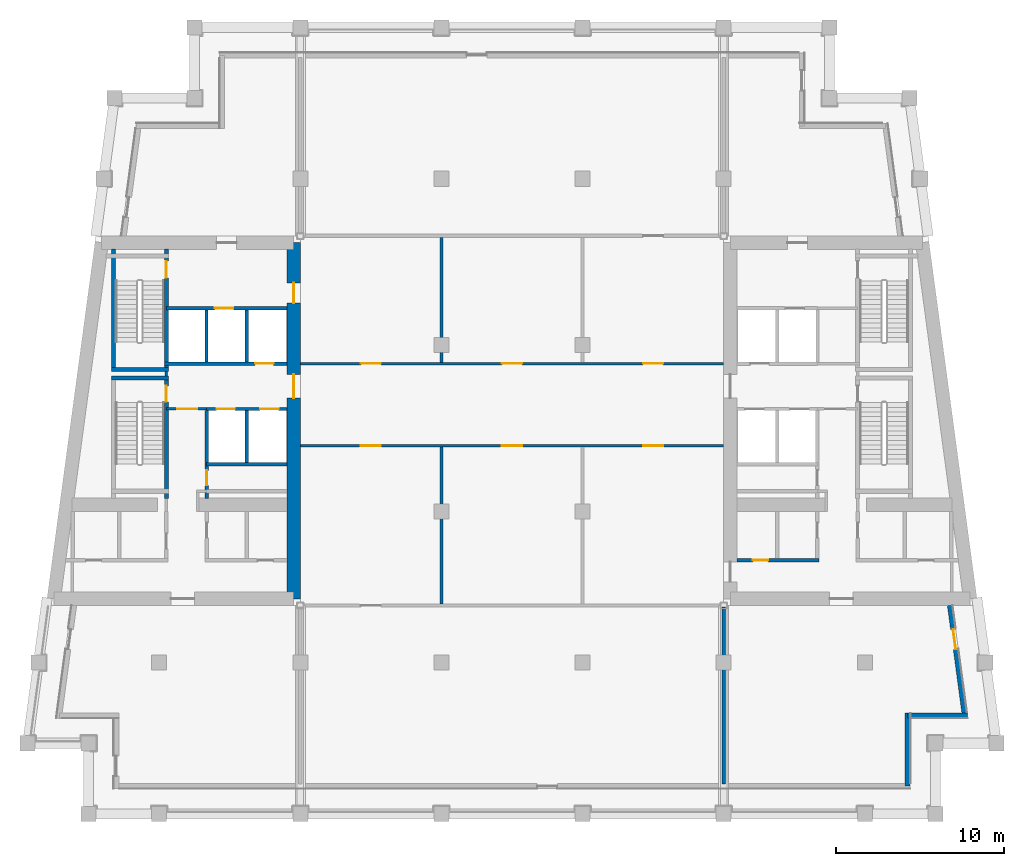
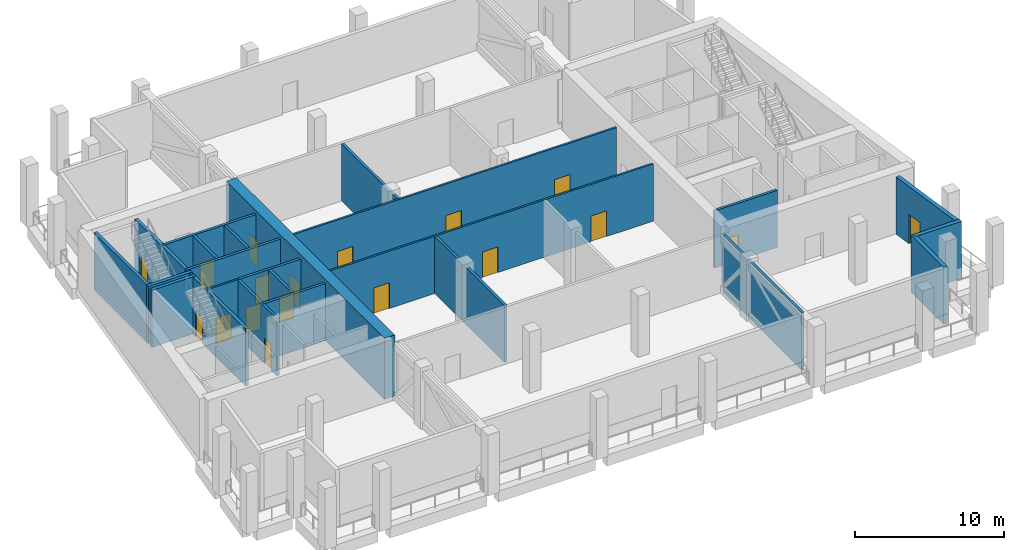
# One storey, part 5 of 11: 25 walls, 18 doors, 18 openings.
"""IFC4 building model written with IfcOpenShell, lengths in metres."""

from ifc_helpers import new_model, si_unit, direction, frame, frame_2d, origin, place, context, subcontext, project, spatial, rectangle, extrude, material, layer, layer_set, type_object, element, fill, save


model = new_model("IFC4")

# Units and contexts
model_context = context("Model", 3, precision=1e-05, world=origin(), true_north=direction((0.0, 1.0)))
body_context = subcontext(model_context, "Body", "Model", "MODEL_VIEW")
ifc_project = project(units=[si_unit("LENGTHUNIT", "METRE"), si_unit("AREAUNIT", "SQUARE_METRE"), si_unit("VOLUMEUNIT", "CUBIC_METRE"), si_unit("PLANEANGLEUNIT", "RADIAN"), si_unit("MASSUNIT", "GRAM", prefix="KILO")], contexts=[model_context])

# Site, building, storey
site_placement = place(None, origin())
site = spatial("IfcSite", under=ifc_project, at=site_placement, CompositionType="ELEMENT")
building_placement = place(site_placement, origin())
building = spatial("IfcBuilding", under=site, at=building_placement, Name="Candeia Pilgrim Tower and Theatre", CompositionType="ELEMENT")
storey_placement = place(building_placement, frame((0.0, 0.0, 254.0)))
storey = spatial("IfcBuildingStorey", under=building, at=storey_placement, Name="L61", CompositionType="ELEMENT", Elevation=254.0)

# Wall, openings, doors
ifc_material_1 = material(Name="Concrete C50/60", Category="concrete")
ifc_layer_1 = layer(ifc_material_1, 0.800048828125)
ifc_layer_set_1 = layer_set([ifc_layer_1], Name="Core wall 800 C50/60")
wall_type_1 = type_object("IfcWallType", Name="Core wall 800 C50/60", PredefinedType="SHEAR", material=ifc_layer_set_1)
wall_1_placement = place(storey_placement, frame((100.39990234375, 132.0, 0.0), z_axis=(0.0, 0.0, 1.0), x_axis=(0.0, -1.0, 0.0)))
wall_1 = element("IfcWall", 1, at=wall_1_placement, inside=storey, type_object=wall_type_1, Name="Core wall W2", PredefinedType="SHEAR", context=body_context, shape_type="SweptSolid", body=[
    extrude(rectangle(XDim=21.199951171875, YDim=0.800048828125, at=frame_2d((10.60009765625, 0.0))), origin(), (0.0, 0.0, 1.0), 5.0),
])
opening_1_placement = place(wall_1_placement, frame((2.39990234375, 0.0, 0.0)))
opening_1 = element("IfcOpeningElement", 2, at=opening_1_placement, cuts=wall_1, Name="Opening L61-D029", PredefinedType="OPENING", context=body_context, shape_type="SweptSolid", body=[
    extrude(rectangle(XDim=1.199951171875, YDim=2.10009765625, at=frame_2d((0.60009765625, 1.050048828125))), frame((0.0, 0.41015625, 0.0), z_axis=(0.0, -1.0, 0.0), x_axis=(1.0, 0.0, 0.0)), (0.0, 0.0, 1.0), 0.820068359375),
])
opening_2_placement = place(wall_1_placement, frame((7.85009765625, 0.0, 0.0)))
opening_2 = element("IfcOpeningElement", 3, at=opening_2_placement, cuts=wall_1, Name="Opening L61-D031", PredefinedType="OPENING", context=body_context, shape_type="SweptSolid", body=[
    extrude(rectangle(XDim=1.39990234375, YDim=2.10009765625, at=frame_2d((0.699951171875, 1.050048828125))), frame((0.0, 0.41015625, 0.0), z_axis=(0.0, -1.0, 0.0), x_axis=(1.0, 0.0, 0.0)), (0.0, 0.0, 1.0), 0.820068359375),
])
ifc_material_2 = material(Name="Steel fire door set", Category="steel")
door_type_1 = type_object("IfcDoorType", Name="D-1200-FD60", OperationType="NOTDEFINED", PredefinedType="DOOR", material=ifc_material_2)
door_1_placement = place(opening_1_placement, origin())
door_1 = element("IfcDoor", 4, at=door_1_placement, inside=storey, type_object=door_type_1, Name="Door L61-D029", OperationType="SINGLE_SWING_RIGHT", OverallHeight=2.10009765625, OverallWidth=1.199951171875, PredefinedType="DOOR", context=body_context, shape_type="SweptSolid", body=[
    extrude(rectangle(XDim=1.199951171875, YDim=2.10009765625, at=frame_2d((0.60009765625, 1.050048828125))), frame((0.0, 0.02490234375, 0.0), z_axis=(0.0, -1.0, 0.0), x_axis=(1.0, 0.0, 0.0)), (0.0, 0.0, 1.0), 0.050048828125),
])
fill(opening_1, door_1)
door_type_2 = type_object("IfcDoorType", Name="D-1400-FD60", OperationType="NOTDEFINED", PredefinedType="DOOR", material=ifc_material_2)
door_2_placement = place(opening_2_placement, origin())
door_2 = element("IfcDoor", 5, at=door_2_placement, inside=storey, type_object=door_type_2, Name="Door L61-D031", OperationType="SINGLE_SWING_RIGHT", OverallHeight=2.10009765625, OverallWidth=1.39990234375, PredefinedType="DOOR", context=body_context, shape_type="SweptSolid", body=[
    extrude(rectangle(XDim=1.39990234375, YDim=2.10009765625, at=frame_2d((0.699951171875, 1.050048828125))), frame((0.0, 0.02490234375, 0.0), z_axis=(0.0, -1.0, 0.0), x_axis=(1.0, 0.0, 0.0)), (0.0, 0.0, 1.0), 0.050048828125),
])
fill(opening_2, door_2)

# Walls
ifc_material_3 = material(Name="Ceramic block masonry", Category="masonry")
ifc_layer_2 = layer(ifc_material_3, 0.300048828125)
ifc_layer_set_2 = layer_set([ifc_layer_2], Name="EW1 glazing-line wall 300")
wall_type_2 = type_object("IfcWallType", Name="EW1 glazing-line wall 300", PredefinedType="SOLIDWALL", material=ifc_layer_set_2)
wall_2_placement = place(storey_placement, frame((136.949951171875, 99.64990234375, 0.0), z_axis=(0.0, 0.0, 1.0), x_axis=(0.0, 1.0, 0.0)))
element("IfcWall", 6, at=wall_2_placement, inside=storey, type_object=wall_type_2, Name="External wall L61-1.0", PredefinedType="SOLIDWALL", context=body_context, shape_type="SweptSolid", body=[
    extrude(rectangle(XDim=4.35009765625, YDim=0.300048828125, at=frame_2d((2.175048828125, 0.0))), origin(), (0.0, 0.0, 1.0), 4.679931640625),
])
wall_3_placement = place(storey_placement, frame((136.949951171875, 103.85009765625, 0.0), z_axis=(0.0, 0.0, 1.0), x_axis=(1.0, 0.0, 0.0)))
element("IfcWall", 7, at=wall_3_placement, inside=storey, type_object=wall_type_2, Name="External wall L61-2.0", PredefinedType="SOLIDWALL", context=body_context, shape_type="SweptSolid", body=[
    extrude(rectangle(XDim=3.569091796875, YDim=0.300048828125, at=frame_2d((1.78466796875, 0.0))), origin(), (0.0, 0.0, 1.0), 4.679931640625),
])

# Wall, opening, door
wall_4_placement = place(storey_placement, frame((140.34765625, 103.85009765625, 0.0), z_axis=(0.0, 0.0, 1.0), x_axis=(-0.133431549479, 0.991058031401, 0.0)))
wall_4 = element("IfcWall", 8, at=wall_4_placement, inside=storey, type_object=wall_type_2, Name="External wall L61-3.0", PredefinedType="SOLIDWALL", context=body_context, shape_type="SweptSolid", body=[
    extrude(rectangle(XDim=6.60888671875, YDim=0.300048828125, at=frame_2d((3.304443359375, 0.0))), origin(), (0.0, 0.0, 1.0), 4.679931640625),
])
opening_3_placement = place(wall_4_placement, frame((3.990966796875, 0.0, 0.0)))
opening_3 = element("IfcOpeningElement", 9, at=opening_3_placement, cuts=wall_4, Name="Opening L61-ED578", PredefinedType="OPENING", context=body_context, shape_type="SweptSolid", body=[
    extrude(rectangle(XDim=1.199951171875, YDim=2.39990234375, at=frame_2d((0.60009765625, 1.199951171875))), frame((0.0, 0.16015625, 0.0), z_axis=(0.0, -1.0, 0.0), x_axis=(1.0, 0.0, 0.0)), (0.0, 0.0, 1.0), 0.320068359375),
])
ifc_material_4 = material(Name="Aluminium framed glazed door", Category="aluminium")
door_type_3 = type_object("IfcDoorType", Name="Loggia door 1200x2400", OperationType="DOUBLE_DOOR_SINGLE_SWING", PredefinedType="DOOR", material=ifc_material_4)
door_3_placement = place(opening_3_placement, origin())
door_3 = element("IfcDoor", 10, at=door_3_placement, inside=storey, type_object=door_type_3, Name="Loggia door L61-ED578", OperationType="DOUBLE_DOOR_SINGLE_SWING", OverallHeight=2.39990234375, OverallWidth=1.199951171875, PredefinedType="DOOR", context=body_context, shape_type="SweptSolid", body=[
    extrude(rectangle(XDim=1.199951171875, YDim=2.39990234375, at=frame_2d((0.60009765625, 1.199951171875))), frame((0.0, 0.02490234375, 0.0), z_axis=(0.0, -1.0, 0.0), x_axis=(1.0, 0.0, 0.0)), (0.0, 0.0, 1.0), 0.050048828125),
])
fill(opening_3, door_3)

ifc_material_5 = material(Name="Gypsum board partition on steel studs", Category="steel")
ifc_layer_3 = layer(ifc_material_5, 0.14990234375)
ifc_layer_set_3 = layer_set([ifc_layer_3], Name="PW-150 lobby wall")
wall_type_3 = type_object("IfcWallType", Name="PW-150 lobby wall", PredefinedType="PARTITIONING", material=ifc_layer_set_3)
wall_5_placement = place(storey_placement, frame((92.826904296875, 122.10009765625, 0.0), z_axis=(0.0, 0.0, 1.0), x_axis=(1.0, 0.0, 0.0)))
wall_5 = element("IfcWall", 11, at=wall_5_placement, inside=storey, type_object=wall_type_3, Name="Lobby wall L61-017", PredefinedType="PARTITIONING", context=body_context, shape_type="SweptSolid", body=[
    extrude(rectangle(XDim=2.400146484375, YDim=0.14990234375, at=frame_2d((1.2001953125, 0.0))), origin(), (0.0, 0.0, 1.0), 4.679931640625),
])
opening_4_placement = place(wall_5_placement, frame((0.64990234375, 0.0, 0.0)))
opening_4 = element("IfcOpeningElement", 12, at=opening_4_placement, cuts=wall_5, Name="Opening L61-D009", PredefinedType="OPENING", context=body_context, shape_type="SweptSolid", body=[
    extrude(rectangle(XDim=1.199951171875, YDim=2.10009765625, at=frame_2d((0.60009765625, 1.050048828125))), frame((0.0, 0.0849609375, 0.0), z_axis=(0.0, -1.0, 0.0), x_axis=(1.0, 0.0, 0.0)), (0.0, 0.0, 1.0), 0.169921875),
])
door_4_placement = place(opening_4_placement, origin())
door_4 = element("IfcDoor", 13, at=door_4_placement, inside=storey, type_object=door_type_1, Name="Door L61-D009", OperationType="SINGLE_SWING_RIGHT", OverallHeight=2.10009765625, OverallWidth=1.199951171875, PredefinedType="DOOR", context=body_context, shape_type="SweptSolid", body=[
    extrude(rectangle(XDim=1.199951171875, YDim=2.10009765625, at=frame_2d((0.60009765625, 1.050048828125))), frame((0.0, 0.02490234375, 0.0), z_axis=(0.0, -1.0, 0.0), x_axis=(1.0, 0.0, 0.0)), (0.0, 0.0, 1.0), 0.050048828125),
])
fill(opening_4, door_4)

# Wall
wall_6_placement = place(storey_placement, frame((92.826904296875, 124.074951171875, 0.0), z_axis=(0.0, 0.0, 1.0), x_axis=(0.0, 1.0, 0.0)))
element("IfcWall", 14, at=wall_6_placement, inside=storey, type_object=wall_type_3, Name="Lobby wall L61-040", PredefinedType="PARTITIONING", context=body_context, shape_type="SweptSolid", body=[
    extrude(rectangle(XDim=0.25, YDim=0.14990234375, at=frame_2d((0.125, 0.0))), origin(), (0.0, 0.0, 1.0), 4.679931640625),
])

# Wall, openings, doors
ifc_layer_4 = layer(ifc_material_5, 0.14990234375)
ifc_layer_set_4 = layer_set([ifc_layer_4], Name="PW-150 unit wall")
wall_type_4 = type_object("IfcWallType", Name="PW-150 unit wall", PredefinedType="PARTITIONING", material=ifc_layer_set_4)
wall_7_placement = place(storey_placement, frame((100.800048828125, 119.89990234375, 0.0), z_axis=(0.0, 0.0, 1.0), x_axis=(1.0, 0.0, 0.0)))
wall_7 = element("IfcWall", 15, at=wall_7_placement, inside=storey, type_object=wall_type_4, Name="Unit wall L61-014", PredefinedType="PARTITIONING", context=body_context, shape_type="SweptSolid", body=[
    extrude(rectangle(XDim=25.199951171875, YDim=0.14990234375, at=frame_2d((12.60009765625, 0.0))), origin(), (0.0, 0.0, 1.0), 4.679931640625),
])
opening_5_placement = place(wall_7_placement, frame((3.60009765625, 0.0, 0.0)))
opening_5 = element("IfcOpeningElement", 16, at=opening_5_placement, cuts=wall_7, Name="Opening L61-D001", PredefinedType="OPENING", context=body_context, shape_type="SweptSolid", body=[
    extrude(rectangle(XDim=1.199951171875, YDim=2.10009765625, at=frame_2d((0.60009765625, 1.050048828125))), frame((0.0, 0.0849609375, 0.0), z_axis=(0.0, -1.0, 0.0), x_axis=(1.0, 0.0, 0.0)), (0.0, 0.0, 1.0), 0.169921875),
])
opening_6_placement = place(wall_7_placement, frame((12.0, 0.0, 0.0)))
opening_6 = element("IfcOpeningElement", 17, at=opening_6_placement, cuts=wall_7, Name="Opening L61-D003", PredefinedType="OPENING", context=body_context, shape_type="SweptSolid", body=[
    extrude(rectangle(XDim=1.199951171875, YDim=2.10009765625, at=frame_2d((0.60009765625, 1.050048828125))), frame((0.0, 0.0849609375, 0.0), z_axis=(0.0, -1.0, 0.0), x_axis=(1.0, 0.0, 0.0)), (0.0, 0.0, 1.0), 0.169921875),
])
opening_7_placement = place(wall_7_placement, frame((20.39990234375, 0.0, 0.0)))
opening_7 = element("IfcOpeningElement", 18, at=opening_7_placement, cuts=wall_7, Name="Opening L61-D005", PredefinedType="OPENING", context=body_context, shape_type="SweptSolid", body=[
    extrude(rectangle(XDim=1.199951171875, YDim=2.10009765625, at=frame_2d((0.60009765625, 1.050048828125))), frame((0.0, 0.0849609375, 0.0), z_axis=(0.0, -1.0, 0.0), x_axis=(1.0, 0.0, 0.0)), (0.0, 0.0, 1.0), 0.169921875),
])
door_5_placement = place(opening_5_placement, origin())
door_5 = element("IfcDoor", 19, at=door_5_placement, inside=storey, type_object=door_type_1, Name="Door L61-D001", OperationType="SINGLE_SWING_RIGHT", OverallHeight=2.10009765625, OverallWidth=1.199951171875, PredefinedType="DOOR", context=body_context, shape_type="SweptSolid", body=[
    extrude(rectangle(XDim=1.199951171875, YDim=2.10009765625, at=frame_2d((0.60009765625, 1.050048828125))), frame((0.0, 0.02490234375, 0.0), z_axis=(0.0, -1.0, 0.0), x_axis=(1.0, 0.0, 0.0)), (0.0, 0.0, 1.0), 0.050048828125),
])
fill(opening_5, door_5)
door_6_placement = place(opening_6_placement, origin())
door_6 = element("IfcDoor", 20, at=door_6_placement, inside=storey, type_object=door_type_1, Name="Door L61-D003", OperationType="SINGLE_SWING_RIGHT", OverallHeight=2.10009765625, OverallWidth=1.199951171875, PredefinedType="DOOR", context=body_context, shape_type="SweptSolid", body=[
    extrude(rectangle(XDim=1.199951171875, YDim=2.10009765625, at=frame_2d((0.60009765625, 1.050048828125))), frame((0.0, 0.02490234375, 0.0), z_axis=(0.0, -1.0, 0.0), x_axis=(1.0, 0.0, 0.0)), (0.0, 0.0, 1.0), 0.050048828125),
])
fill(opening_6, door_6)
door_7_placement = place(opening_7_placement, origin())
door_7 = element("IfcDoor", 21, at=door_7_placement, inside=storey, type_object=door_type_1, Name="Door L61-D005", OperationType="SINGLE_SWING_RIGHT", OverallHeight=2.10009765625, OverallWidth=1.199951171875, PredefinedType="DOOR", context=body_context, shape_type="SweptSolid", body=[
    extrude(rectangle(XDim=1.199951171875, YDim=2.10009765625, at=frame_2d((0.60009765625, 1.050048828125))), frame((0.0, 0.02490234375, 0.0), z_axis=(0.0, -1.0, 0.0), x_axis=(1.0, 0.0, 0.0)), (0.0, 0.0, 1.0), 0.050048828125),
])
fill(opening_7, door_7)

wall_8_placement = place(storey_placement, frame((100.800048828125, 124.800048828125, 0.0), z_axis=(0.0, 0.0, 1.0), x_axis=(1.0, 0.0, 0.0)))
wall_8 = element("IfcWall", 22, at=wall_8_placement, inside=storey, type_object=wall_type_4, Name="Unit wall L61-026", PredefinedType="PARTITIONING", context=body_context, shape_type="SweptSolid", body=[
    extrude(rectangle(XDim=25.199951171875, YDim=0.14990234375, at=frame_2d((12.60009765625, 0.0))), origin(), (0.0, 0.0, 1.0), 4.679931640625),
])
opening_8_placement = place(wall_8_placement, frame((3.60009765625, 0.0, 0.0)))
opening_8 = element("IfcOpeningElement", 23, at=opening_8_placement, cuts=wall_8, Name="Opening L61-D002", PredefinedType="OPENING", context=body_context, shape_type="SweptSolid", body=[
    extrude(rectangle(XDim=1.199951171875, YDim=2.10009765625, at=frame_2d((0.60009765625, 1.050048828125))), frame((0.0, 0.0849609375, 0.0), z_axis=(0.0, -1.0, 0.0), x_axis=(1.0, 0.0, 0.0)), (0.0, 0.0, 1.0), 0.169921875),
])
opening_9_placement = place(wall_8_placement, frame((12.0, 0.0, 0.0)))
opening_9 = element("IfcOpeningElement", 24, at=opening_9_placement, cuts=wall_8, Name="Opening L61-D004", PredefinedType="OPENING", context=body_context, shape_type="SweptSolid", body=[
    extrude(rectangle(XDim=1.199951171875, YDim=2.10009765625, at=frame_2d((0.60009765625, 1.050048828125))), frame((0.0, 0.0849609375, 0.0), z_axis=(0.0, -1.0, 0.0), x_axis=(1.0, 0.0, 0.0)), (0.0, 0.0, 1.0), 0.169921875),
])
opening_10_placement = place(wall_8_placement, frame((20.39990234375, 0.0, 0.0)))
opening_10 = element("IfcOpeningElement", 25, at=opening_10_placement, cuts=wall_8, Name="Opening L61-D006", PredefinedType="OPENING", context=body_context, shape_type="SweptSolid", body=[
    extrude(rectangle(XDim=1.199951171875, YDim=2.10009765625, at=frame_2d((0.60009765625, 1.050048828125))), frame((0.0, 0.0849609375, 0.0), z_axis=(0.0, -1.0, 0.0), x_axis=(1.0, 0.0, 0.0)), (0.0, 0.0, 1.0), 0.169921875),
])
door_8_placement = place(opening_8_placement, origin())
door_8 = element("IfcDoor", 26, at=door_8_placement, inside=storey, type_object=door_type_1, Name="Door L61-D002", OperationType="SINGLE_SWING_LEFT", OverallHeight=2.10009765625, OverallWidth=1.199951171875, PredefinedType="DOOR", context=body_context, shape_type="SweptSolid", body=[
    extrude(rectangle(XDim=1.199951171875, YDim=2.10009765625, at=frame_2d((0.60009765625, 1.050048828125))), frame((0.0, 0.02490234375, 0.0), z_axis=(0.0, -1.0, 0.0), x_axis=(1.0, 0.0, 0.0)), (0.0, 0.0, 1.0), 0.050048828125),
])
fill(opening_8, door_8)
door_9_placement = place(opening_9_placement, origin())
door_9 = element("IfcDoor", 27, at=door_9_placement, inside=storey, type_object=door_type_1, Name="Door L61-D004", OperationType="SINGLE_SWING_LEFT", OverallHeight=2.10009765625, OverallWidth=1.199951171875, PredefinedType="DOOR", context=body_context, shape_type="SweptSolid", body=[
    extrude(rectangle(XDim=1.199951171875, YDim=2.10009765625, at=frame_2d((0.60009765625, 1.050048828125))), frame((0.0, 0.02490234375, 0.0), z_axis=(0.0, -1.0, 0.0), x_axis=(1.0, 0.0, 0.0)), (0.0, 0.0, 1.0), 0.050048828125),
])
fill(opening_9, door_9)
door_10_placement = place(opening_10_placement, origin())
door_10 = element("IfcDoor", 28, at=door_10_placement, inside=storey, type_object=door_type_1, Name="Door L61-D006", OperationType="SINGLE_SWING_LEFT", OverallHeight=2.10009765625, OverallWidth=1.199951171875, PredefinedType="DOOR", context=body_context, shape_type="SweptSolid", body=[
    extrude(rectangle(XDim=1.199951171875, YDim=2.10009765625, at=frame_2d((0.60009765625, 1.050048828125))), frame((0.0, 0.02490234375, 0.0), z_axis=(0.0, -1.0, 0.0), x_axis=(1.0, 0.0, 0.0)), (0.0, 0.0, 1.0), 0.050048828125),
])
fill(opening_10, door_10)

# Walls
ifc_layer_5 = layer(ifc_material_5, 0.199951171875)
ifc_layer_set_5 = layer_set([ifc_layer_5], Name="PW-200 party wall")
wall_type_5 = type_object("IfcWallType", Name="PW-200 party wall", PredefinedType="PARTITIONING", material=ifc_layer_set_5)
wall_9_placement = place(storey_placement, frame((109.199951171875, 110.5, 0.0), z_axis=(0.0, 0.0, 1.0), x_axis=(0.0, 1.0, 0.0)))
element("IfcWall", 29, at=wall_9_placement, inside=storey, type_object=wall_type_5, Name="Party wall L61-052", PredefinedType="PARTITIONING", context=body_context, shape_type="SweptSolid", body=[
    extrude(rectangle(XDim=9.324951171875, YDim=0.199951171875, at=frame_2d((4.66259765625, 0.0))), origin(), (0.0, 0.0, 1.0), 4.679931640625),
])
wall_10_placement = place(storey_placement, frame((109.199951171875, 124.875, 0.0), z_axis=(0.0, 0.0, 1.0), x_axis=(0.0, 1.0, 0.0)))
element("IfcWall", 30, at=wall_10_placement, inside=storey, type_object=wall_type_5, Name="Party wall L61-053", PredefinedType="PARTITIONING", context=body_context, shape_type="SweptSolid", body=[
    extrude(rectangle(XDim=7.425048828125, YDim=0.199951171875, at=frame_2d((3.71240234375, 0.0))), origin(), (0.0, 0.0, 1.0), 4.679931640625),
])
wall_11_placement = place(storey_placement, frame((126.0, 99.7900390625, 0.0), z_axis=(0.0, 0.0, 1.0), x_axis=(0.0, 1.0, 0.0)))
element("IfcWall", 31, at=wall_11_placement, inside=storey, type_object=wall_type_5, Name="Party wall L61-056", PredefinedType="PARTITIONING", context=body_context, shape_type="SweptSolid", body=[
    extrude(rectangle(XDim=10.510009765625, YDim=0.199951171875, at=frame_2d((5.2548828125, 0.0))), origin(), (0.0, 0.0, 1.0), 4.679931640625),
])

# Wall, opening, door
ifc_material_6 = material(Name="Concrete C40/50", Category="concrete")
ifc_layer_6 = layer(ifc_material_6, 0.199951171875)
ifc_layer_set_6 = layer_set([ifc_layer_6], Name="SW-200 shaft wall")
wall_type_6 = type_object("IfcWallType", Name="SW-200 shaft wall", PredefinedType="PARTITIONING", material=ifc_layer_set_6)
wall_12_placement = place(storey_placement, frame((126.800048828125, 113.10009765625, 0.0), z_axis=(0.0, 0.0, 1.0), x_axis=(1.0, 0.0, 0.0)))
wall_12 = element("IfcWall", 32, at=wall_12_placement, inside=storey, type_object=wall_type_6, Name="Shaft wall L61-004", PredefinedType="PARTITIONING", context=body_context, shape_type="SweptSolid", body=[
    extrude(rectangle(XDim=4.873046875, YDim=0.199951171875, at=frame_2d((2.4365234375, 0.0))), origin(), (0.0, 0.0, 1.0), 4.679931640625),
])
opening_11_placement = place(wall_12_placement, frame((0.93994140625, 0.0, 0.0)))
opening_11 = element("IfcOpeningElement", 33, at=opening_11_placement, cuts=wall_12, Name="Opening L61-D024", PredefinedType="OPENING", context=body_context, shape_type="SweptSolid", body=[
    extrude(rectangle(XDim=0.89990234375, YDim=2.10009765625, at=frame_2d((0.449951171875, 1.050048828125))), frame((0.0, 0.10986328125, 0.0), z_axis=(0.0, -1.0, 0.0), x_axis=(1.0, 0.0, 0.0)), (0.0, 0.0, 1.0), 0.219970703125),
])
door_type_4 = type_object("IfcDoorType", Name="D-900-FD60", OperationType="NOTDEFINED", PredefinedType="DOOR", material=ifc_material_2)
door_11_placement = place(opening_11_placement, origin())
door_11 = element("IfcDoor", 34, at=door_11_placement, inside=storey, type_object=door_type_4, Name="Door L61-D024", OperationType="SINGLE_SWING_LEFT", OverallHeight=2.10009765625, OverallWidth=0.89990234375, PredefinedType="DOOR", context=body_context, shape_type="SweptSolid", body=[
    extrude(rectangle(XDim=0.89990234375, YDim=2.10009765625, at=frame_2d((0.449951171875, 1.050048828125))), frame((0.0, 0.02490234375, 0.0), z_axis=(0.0, -1.0, 0.0), x_axis=(1.0, 0.0, 0.0)), (0.0, 0.0, 1.0), 0.050048828125),
])
fill(opening_11, door_11)

# Wall
wall_13_placement = place(storey_placement, frame((95.22705078125, 118.800048828125, 0.0), z_axis=(0.0, 0.0, 1.0), x_axis=(1.0, 0.0, 0.0)))
element("IfcWall", 35, at=wall_13_placement, inside=storey, type_object=wall_type_6, Name="Shaft wall L61-012", PredefinedType="PARTITIONING", context=body_context, shape_type="SweptSolid", body=[
    extrude(rectangle(XDim=4.77294921875, YDim=0.199951171875, at=frame_2d((2.386474609375, 0.0))), origin(), (0.0, 0.0, 1.0), 4.679931640625),
])

# Wall, openings, doors
wall_14_placement = place(storey_placement, frame((95.22705078125, 122.10009765625, 0.0), z_axis=(0.0, 0.0, 1.0), x_axis=(1.0, 0.0, 0.0)))
wall_14 = element("IfcWall", 36, at=wall_14_placement, inside=storey, type_object=wall_type_6, Name="Shaft wall L61-015", PredefinedType="PARTITIONING", context=body_context, shape_type="SweptSolid", body=[
    extrude(rectangle(XDim=4.77294921875, YDim=0.199951171875, at=frame_2d((2.386474609375, 0.0))), origin(), (0.0, 0.0, 1.0), 4.679931640625),
])
opening_12_placement = place(wall_14_placement, frame((0.5849609375, 0.0, 0.0)))
opening_12 = element("IfcOpeningElement", 37, at=opening_12_placement, cuts=wall_14, Name="Opening L61-LD01", PredefinedType="OPENING", context=body_context, shape_type="SweptSolid", body=[
    extrude(rectangle(XDim=1.10009765625, YDim=2.10009765625, at=frame_2d((0.550048828125, 1.050048828125))), frame((0.0, 0.10986328125, 0.0), z_axis=(0.0, -1.0, 0.0), x_axis=(1.0, 0.0, 0.0)), (0.0, 0.0, 1.0), 0.219970703125),
])
opening_13_placement = place(wall_14_placement, frame((3.176025390625, 0.0, 0.0)))
opening_13 = element("IfcOpeningElement", 38, at=opening_13_placement, cuts=wall_14, Name="Opening L61-LD02", PredefinedType="OPENING", context=body_context, shape_type="SweptSolid", body=[
    extrude(rectangle(XDim=1.10009765625, YDim=2.10009765625, at=frame_2d((0.550048828125, 1.050048828125))), frame((0.0, 0.10986328125, 0.0), z_axis=(0.0, -1.0, 0.0), x_axis=(1.0, 0.0, 0.0)), (0.0, 0.0, 1.0), 0.219970703125),
])
ifc_material_7 = material(Name="Glazed aluminium landing door", Category="aluminium")
door_type_5 = type_object("IfcDoorType", Name="LD-1100-EI120", OperationType="SLIDING_TO_LEFT", PredefinedType="DOOR", material=ifc_material_7)
door_12_placement = place(opening_12_placement, origin())
door_12 = element("IfcDoor", 39, at=door_12_placement, inside=storey, type_object=door_type_5, Name="Landing door 01 L61", OperationType="SLIDING_TO_LEFT", OverallHeight=2.10009765625, OverallWidth=1.10009765625, PredefinedType="DOOR", context=body_context, shape_type="SweptSolid", body=[
    extrude(rectangle(XDim=1.10009765625, YDim=2.10009765625, at=frame_2d((0.550048828125, 1.050048828125))), frame((0.0, 0.02490234375, 0.0), z_axis=(0.0, -1.0, 0.0), x_axis=(1.0, 0.0, 0.0)), (0.0, 0.0, 1.0), 0.050048828125),
])
fill(opening_12, door_12)
door_13_placement = place(opening_13_placement, origin())
door_13 = element("IfcDoor", 40, at=door_13_placement, inside=storey, type_object=door_type_5, Name="Landing door 02 L61", OperationType="SLIDING_TO_LEFT", OverallHeight=2.10009765625, OverallWidth=1.10009765625, PredefinedType="DOOR", context=body_context, shape_type="SweptSolid", body=[
    extrude(rectangle(XDim=1.10009765625, YDim=2.10009765625, at=frame_2d((0.550048828125, 1.050048828125))), frame((0.0, 0.02490234375, 0.0), z_axis=(0.0, -1.0, 0.0), x_axis=(1.0, 0.0, 0.0)), (0.0, 0.0, 1.0), 0.050048828125),
])
fill(opening_13, door_13)

# Wall, opening, door
wall_15_placement = place(storey_placement, frame((92.701904296875, 124.800048828125, 0.0), z_axis=(0.0, 0.0, 1.0), x_axis=(1.0, 0.0, 0.0)))
wall_15 = element("IfcWall", 41, at=wall_15_placement, inside=storey, type_object=wall_type_6, Name="Shaft wall L61-023", PredefinedType="PARTITIONING", context=body_context, shape_type="SweptSolid", body=[
    extrude(rectangle(XDim=7.298095703125, YDim=0.199951171875, at=frame_2d((3.64892578125, 0.0))), origin(), (0.0, 0.0, 1.0), 4.679931640625),
])
opening_14_placement = place(wall_15_placement, frame((5.405029296875, 0.0, 0.0)))
opening_14 = element("IfcOpeningElement", 42, at=opening_14_placement, cuts=wall_15, Name="Opening L61-LD04", PredefinedType="OPENING", context=body_context, shape_type="SweptSolid", body=[
    extrude(rectangle(XDim=1.10009765625, YDim=2.10009765625, at=frame_2d((0.550048828125, 1.050048828125))), frame((0.0, 0.10986328125, 0.0), z_axis=(0.0, -1.0, 0.0), x_axis=(1.0, 0.0, 0.0)), (0.0, 0.0, 1.0), 0.219970703125),
])
door_14_placement = place(opening_14_placement, origin())
door_14 = element("IfcDoor", 43, at=door_14_placement, inside=storey, type_object=door_type_5, Name="Landing door 04 L61", OperationType="SLIDING_TO_LEFT", OverallHeight=2.10009765625, OverallWidth=1.10009765625, PredefinedType="DOOR", context=body_context, shape_type="SweptSolid", body=[
    extrude(rectangle(XDim=1.10009765625, YDim=2.10009765625, at=frame_2d((0.550048828125, 1.050048828125))), frame((0.0, 0.02490234375, 0.0), z_axis=(0.0, -1.0, 0.0), x_axis=(1.0, 0.0, 0.0)), (0.0, 0.0, 1.0), 0.050048828125),
])
fill(opening_14, door_14)

wall_16_placement = place(storey_placement, frame((92.826904296875, 128.10009765625, 0.0), z_axis=(0.0, 0.0, 1.0), x_axis=(1.0, 0.0, 0.0)))
wall_16 = element("IfcWall", 44, at=wall_16_placement, inside=storey, type_object=wall_type_6, Name="Shaft wall L61-027", PredefinedType="PARTITIONING", context=body_context, shape_type="SweptSolid", body=[
    extrude(rectangle(XDim=7.173095703125, YDim=0.199951171875, at=frame_2d((3.58642578125, 0.0))), origin(), (0.0, 0.0, 1.0), 4.679931640625),
])
opening_15_placement = place(wall_16_placement, frame((2.888916015625, 0.0, 0.0)))
opening_15 = element("IfcOpeningElement", 45, at=opening_15_placement, cuts=wall_16, Name="Opening L61-LD03", PredefinedType="OPENING", context=body_context, shape_type="SweptSolid", body=[
    extrude(rectangle(XDim=1.10009765625, YDim=2.10009765625, at=frame_2d((0.550048828125, 1.050048828125))), frame((0.0, 0.10986328125, 0.0), z_axis=(0.0, -1.0, 0.0), x_axis=(1.0, 0.0, 0.0)), (0.0, 0.0, 1.0), 0.219970703125),
])
door_15_placement = place(opening_15_placement, origin())
door_15 = element("IfcDoor", 46, at=door_15_placement, inside=storey, type_object=door_type_5, Name="Landing door 03 L61", OperationType="SLIDING_TO_LEFT", OverallHeight=2.10009765625, OverallWidth=1.10009765625, PredefinedType="DOOR", context=body_context, shape_type="SweptSolid", body=[
    extrude(rectangle(XDim=1.10009765625, YDim=2.10009765625, at=frame_2d((0.550048828125, 1.050048828125))), frame((0.0, 0.02490234375, 0.0), z_axis=(0.0, -1.0, 0.0), x_axis=(1.0, 0.0, 0.0)), (0.0, 0.0, 1.0), 0.050048828125),
])
fill(opening_15, door_15)

# Wall
wall_17_placement = place(storey_placement, frame((95.218017578125, 124.89990234375, 0.0), z_axis=(0.0, 0.0, 1.0), x_axis=(0.0, 1.0, 0.0)))
element("IfcWall", 47, at=wall_17_placement, inside=storey, type_object=wall_type_6, Name="Shaft wall L61-044", PredefinedType="PARTITIONING", context=body_context, shape_type="SweptSolid", body=[
    extrude(rectangle(XDim=3.10009765625, YDim=0.199951171875, at=frame_2d((1.550048828125, 0.0))), origin(), (0.0, 0.0, 1.0), 4.679931640625),
])

# Wall, opening, door
wall_18_placement = place(storey_placement, frame((95.22705078125, 116.77001953125, 0.0), z_axis=(0.0, 0.0, 1.0), x_axis=(0.0, 1.0, 0.0)))
wall_18 = element("IfcWall", 48, at=wall_18_placement, inside=storey, type_object=wall_type_6, Name="Shaft wall L61-046", PredefinedType="PARTITIONING", context=body_context, shape_type="SweptSolid", body=[
    extrude(rectangle(XDim=5.22998046875, YDim=0.199951171875, at=frame_2d((2.614990234375, 0.0))), origin(), (0.0, 0.0, 1.0), 4.679931640625),
])
opening_16_placement = place(wall_18_placement, frame((0.780029296875, 0.0, 0.0)))
opening_16 = element("IfcOpeningElement", 49, at=opening_16_placement, cuts=wall_18, Name="Opening L61-D012", PredefinedType="OPENING", context=body_context, shape_type="SweptSolid", body=[
    extrude(rectangle(XDim=0.89990234375, YDim=2.10009765625, at=frame_2d((0.449951171875, 1.050048828125))), frame((0.0, 0.10986328125, 0.0), z_axis=(0.0, -1.0, 0.0), x_axis=(1.0, 0.0, 0.0)), (0.0, 0.0, 1.0), 0.219970703125),
])
door_16_placement = place(opening_16_placement, origin())
door_16 = element("IfcDoor", 50, at=door_16_placement, inside=storey, type_object=door_type_4, Name="Door L61-D012", OperationType="SINGLE_SWING_LEFT", OverallHeight=2.10009765625, OverallWidth=0.89990234375, PredefinedType="DOOR", context=body_context, shape_type="SweptSolid", body=[
    extrude(rectangle(XDim=0.89990234375, YDim=2.10009765625, at=frame_2d((0.449951171875, 1.050048828125))), frame((0.0, 0.02490234375, 0.0), z_axis=(0.0, -1.0, 0.0), x_axis=(1.0, 0.0, 0.0)), (0.0, 0.0, 1.0), 0.050048828125),
])
fill(opening_16, door_16)

# Walls
for number, where, z_axis, x_axis, name in (
    (51, (97.60888671875, 124.89990234375, 0.0), (0.0, 0.0, 1.0), (0.0, 1.0, 0.0), "Shaft wall L61-047"),
    (52, (97.613525390625, 118.89990234375, 0.0), (0.0, 0.0, 1.0), (0.0, 1.0, 0.0), "Shaft wall L61-049"),
):
    element("IfcWall", number, at=place(storey_placement, frame(where, z_axis=z_axis, x_axis=x_axis)), inside=storey, type_object=wall_type_6, Name=name, PredefinedType="PARTITIONING", context=body_context, shape_type="SweptSolid", body=[
        extrude(rectangle(XDim=3.10009765625, YDim=0.199951171875, at=frame_2d((1.550048828125, 0.0))), origin(), (0.0, 0.0, 1.0), 4.679931640625),
    ])
ifc_layer_7 = layer(ifc_material_6, 0.25)
ifc_layer_set_7 = layer_set([ifc_layer_7], Name="SW-250 stair wall")
wall_type_7 = type_object("IfcWallType", Name="SW-250 stair wall", PredefinedType="PARTITIONING", material=ifc_layer_set_7)
for number, where, z_axis, x_axis, name in (
    (53, (89.552001953125, 123.949951171875, 0.0), (0.0, 0.0, 1.0), (1.0, 0.0, 0.0), "Stair wall L61-019"),
    (54, (89.552001953125, 124.449951171875, 0.0), (0.0, 0.0, 1.0), (1.0, 0.0, 0.0), "Stair wall L61-021"),
):
    element("IfcWall", number, at=place(storey_placement, frame(where, z_axis=z_axis, x_axis=x_axis)), inside=storey, type_object=wall_type_7, Name=name, PredefinedType="PARTITIONING", context=body_context, shape_type="SweptSolid", body=[
        extrude(rectangle(XDim=3.39990234375, YDim=0.25, at=frame_2d((1.699951171875, 0.0))), origin(), (0.0, 0.0, 1.0), 4.679931640625),
    ])
wall_19_placement = place(storey_placement, frame((89.677001953125, 124.574951171875, 0.0), z_axis=(0.0, 0.0, 1.0), x_axis=(0.0, 1.0, 0.0)))
element("IfcWall", 55, at=wall_19_placement, inside=storey, type_object=wall_type_7, Name="Stair wall L61-036", PredefinedType="PARTITIONING", context=body_context, shape_type="SweptSolid", body=[
    extrude(rectangle(XDim=7.054931640625, YDim=0.25, at=frame_2d((3.52734375, 0.0))), origin(), (0.0, 0.0, 1.0), 4.679931640625),
])

# Wall, opening, door
wall_20_placement = place(storey_placement, frame((92.826904296875, 116.77001953125, 0.0), z_axis=(0.0, 0.0, 1.0), x_axis=(0.0, 1.0, 0.0)))
wall_20 = element("IfcWall", 56, at=wall_20_placement, inside=storey, type_object=wall_type_7, Name="Stair wall L61-041", PredefinedType="PARTITIONING", context=body_context, shape_type="SweptSolid", body=[
    extrude(rectangle(XDim=7.054931640625, YDim=0.25, at=frame_2d((3.52734375, 0.0))), origin(), (0.0, 0.0, 1.0), 4.679931640625),
])
opening_17_placement = place(wall_20_placement, frame((5.7548828125, 0.0, 0.0)))
opening_17 = element("IfcOpeningElement", 57, at=opening_17_placement, cuts=wall_20, Name="Opening L61-D010", PredefinedType="OPENING", context=body_context, shape_type="SweptSolid", body=[
    extrude(rectangle(XDim=0.949951171875, YDim=2.10009765625, at=frame_2d((0.47509765625, 1.050048828125))), frame((0.0, 0.135009765625, 0.0), z_axis=(0.0, -1.0, 0.0), x_axis=(1.0, 0.0, 0.0)), (0.0, 0.0, 1.0), 0.27001953125),
])
door_type_6 = type_object("IfcDoorType", Name="D-950-FD60", OperationType="NOTDEFINED", PredefinedType="DOOR", material=ifc_material_2)
door_17_placement = place(opening_17_placement, origin())
door_17 = element("IfcDoor", 58, at=door_17_placement, inside=storey, type_object=door_type_6, Name="Door L61-D010", OperationType="SINGLE_SWING_LEFT", OverallHeight=2.10009765625, OverallWidth=0.949951171875, PredefinedType="DOOR", context=body_context, shape_type="SweptSolid", body=[
    extrude(rectangle(XDim=0.949951171875, YDim=2.10009765625, at=frame_2d((0.47509765625, 1.050048828125))), frame((0.0, 0.02490234375, 0.0), z_axis=(0.0, -1.0, 0.0), x_axis=(1.0, 0.0, 0.0)), (0.0, 0.0, 1.0), 0.050048828125),
])
fill(opening_17, door_17)

wall_21_placement = place(storey_placement, frame((92.826904296875, 124.574951171875, 0.0), z_axis=(0.0, 0.0, 1.0), x_axis=(0.0, 1.0, 0.0)))
wall_21 = element("IfcWall", 59, at=wall_21_placement, inside=storey, type_object=wall_type_7, Name="Stair wall L61-042", PredefinedType="PARTITIONING", context=body_context, shape_type="SweptSolid", body=[
    extrude(rectangle(XDim=7.054931640625, YDim=0.25, at=frame_2d((3.52734375, 0.0))), origin(), (0.0, 0.0, 1.0), 4.679931640625),
])
opening_18_placement = place(wall_21_placement, frame((5.324951171875, 0.0, 0.0)))
opening_18 = element("IfcOpeningElement", 60, at=opening_18_placement, cuts=wall_21, Name="Opening L61-D011", PredefinedType="OPENING", context=body_context, shape_type="SweptSolid", body=[
    extrude(rectangle(XDim=1.0, YDim=2.10009765625, at=frame_2d((0.5, 1.050048828125))), frame((0.0, 0.135009765625, 0.0), z_axis=(0.0, -1.0, 0.0), x_axis=(1.0, 0.0, 0.0)), (0.0, 0.0, 1.0), 0.27001953125),
])
door_type_7 = type_object("IfcDoorType", Name="D-1000-FD60", OperationType="NOTDEFINED", PredefinedType="DOOR", material=ifc_material_2)
door_18_placement = place(opening_18_placement, origin())
door_18 = element("IfcDoor", 61, at=door_18_placement, inside=storey, type_object=door_type_7, Name="Door L61-D011", OperationType="SINGLE_SWING_RIGHT", OverallHeight=2.10009765625, OverallWidth=1.0, PredefinedType="DOOR", context=body_context, shape_type="SweptSolid", body=[
    extrude(rectangle(XDim=1.0, YDim=2.10009765625, at=frame_2d((0.5, 1.050048828125))), frame((0.0, 0.02490234375, 0.0), z_axis=(0.0, -1.0, 0.0), x_axis=(1.0, 0.0, 0.0)), (0.0, 0.0, 1.0), 0.050048828125),
])
fill(opening_18, door_18)

save(model, "model.ifc")
